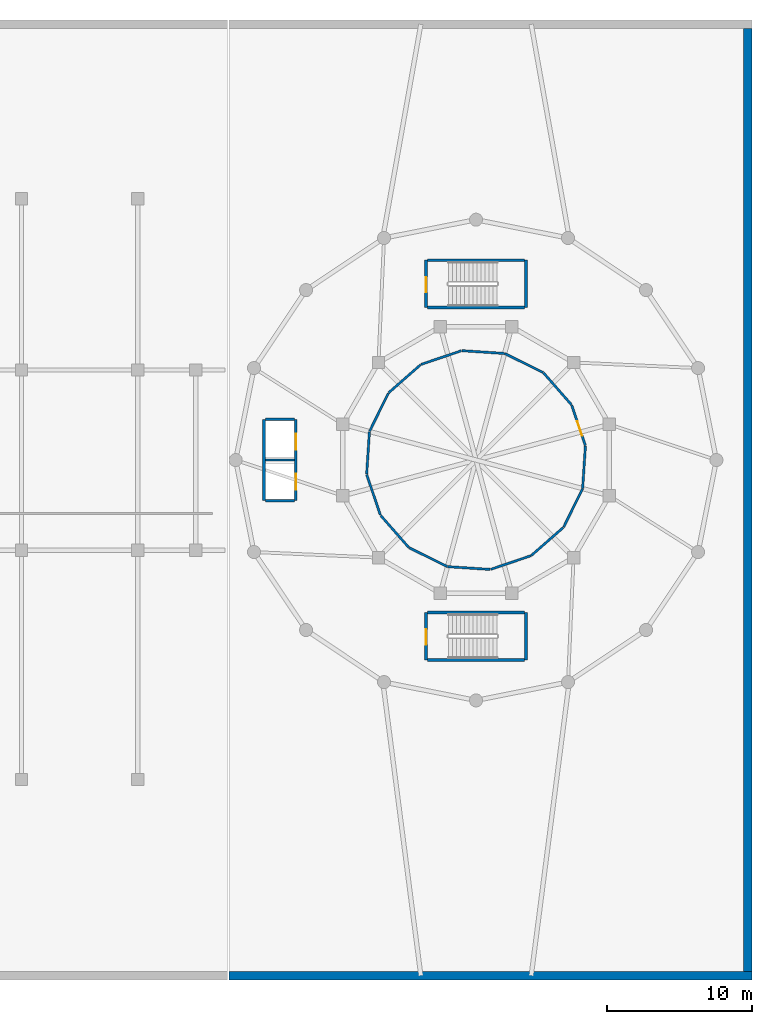
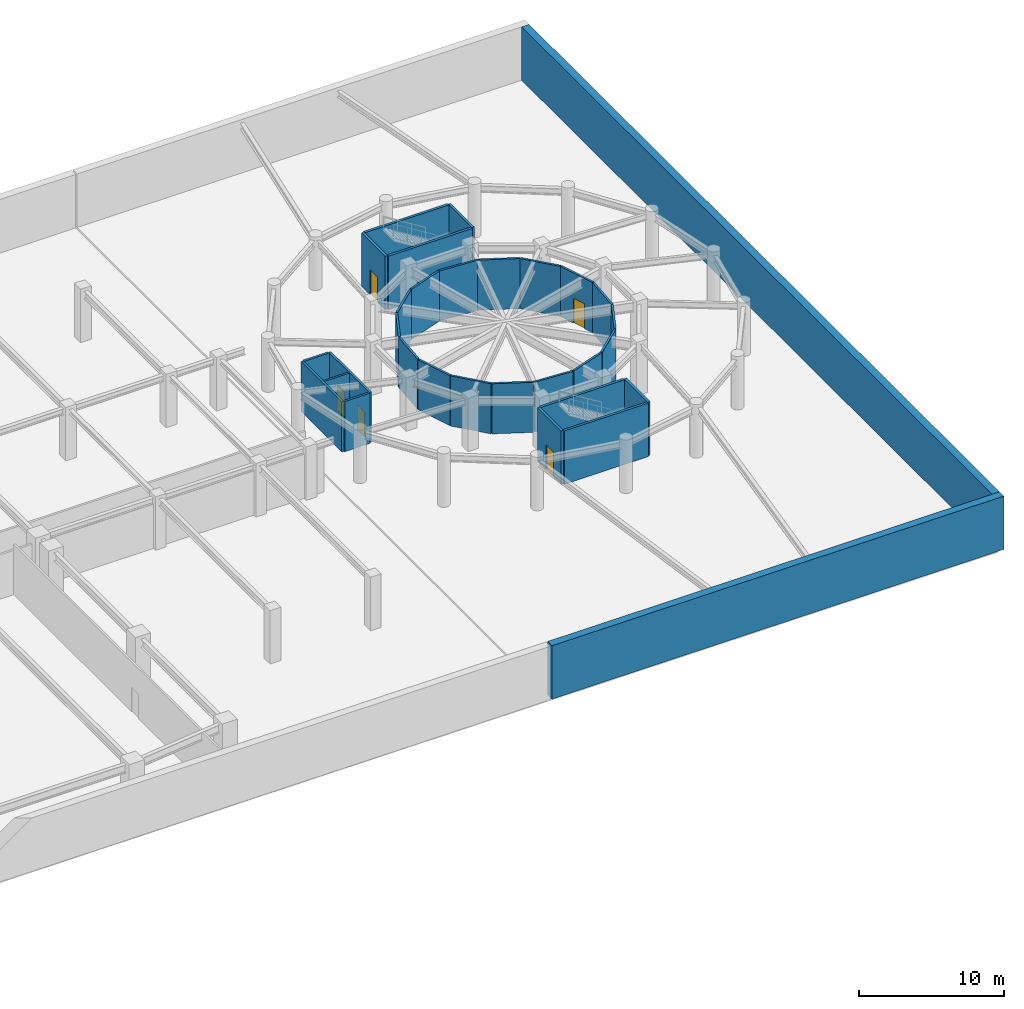
# One storey, part 11 of 15: 31 walls, 5 doors, 5 openings.
"""IFC4 building model written with IfcOpenShell, lengths in metres."""

from ifc_helpers import new_model, si_unit, derived_unit, direction, frame, frame_2d, origin, place, context, subcontext, project, spatial, rectangle, extrude, material, layer, layer_set, type_object, element, fill, save


model = new_model("IFC4")

# Units and contexts
model_context = context("Model", 3, precision=1e-05, world=origin(), true_north=direction((0.0, 1.0)))
body_context = subcontext(model_context, "Body", "Model", "MODEL_VIEW")
ifc_project = project(units=[si_unit("LENGTHUNIT", "METRE"), si_unit("AREAUNIT", "SQUARE_METRE"), si_unit("VOLUMEUNIT", "CUBIC_METRE"), si_unit("PLANEANGLEUNIT", "RADIAN"), si_unit("MASSUNIT", "GRAM", prefix="KILO"), derived_unit("THERMALTRANSMITTANCEUNIT", [(si_unit("POWERUNIT", "WATT"), 1), (si_unit("LENGTHUNIT", "METRE"), -2), (si_unit("THERMODYNAMICTEMPERATUREUNIT", "KELVIN"), -1)])], contexts=[model_context])

# Site, building, storey
site_placement = place(None, origin())
site = spatial("IfcSite", under=ifc_project, at=site_placement, CompositionType="ELEMENT")
building_placement = place(site_placement, origin())
building = spatial("IfcBuilding", under=site, at=building_placement, Name="Korsvarv Bourse and Concert Hall", CompositionType="ELEMENT")
storey_placement = place(building_placement, frame((0.0, 0.0, -4.5)))
storey = spatial("IfcBuildingStorey", under=building, at=storey_placement, Name="B01", CompositionType="ELEMENT", Elevation=-4.5)

# Wall, opening, door
ifc_material_1 = material(Name="Concrete C50/60", Category="concrete")
ifc_layer_1 = layer(ifc_material_1, 0.3798828125)
ifc_layer_set_1 = layer_set([ifc_layer_1], Name="Concrete C50/60")
wall_type_1 = type_object("IfcWallType", Name="WL-CORE-380", PredefinedType="SHEAR", material=ifc_layer_set_1)
wall_1_placement = place(storey_placement, frame((103.35009765625, 46.5, 0.0), z_axis=(0.0, 0.0, 1.0), x_axis=(0.0, 1.0, 0.0)))
wall_1 = element("IfcWall", 1, at=wall_1_placement, inside=storey, type_object=wall_type_1, Name="B01 stair shaft structural wall W-B01-STCH1-W", PredefinedType="SHEAR", context=body_context, shape_type="SweptSolid", body=[
    extrude(rectangle(XDim=3.260009765625, YDim=0.199951171875, at=frame_2d((1.6298828125, 0.0))), origin(), (0.0, 0.0, 1.0), 4.5),
])
opening_1_placement = place(wall_1_placement, frame((1.050048828125, 0.0, 0.0)))
opening_1 = element("IfcOpeningElement", 2, at=opening_1_placement, cuts=wall_1, Name="Opening D-01", PredefinedType="OPENING", context=body_context, shape_type="SweptSolid", body=[
    extrude(rectangle(XDim=1.050048828125, YDim=2.10009765625, at=frame_2d((0.52490234375, 1.050048828125))), frame((0.0, 0.10986328125, 0.0), z_axis=(0.0, -1.0, 0.0), x_axis=(1.0, 0.0, 0.0)), (0.0, 0.0, 1.0), 0.219970703125),
])
ifc_material_2 = material(Name="Steel S355 fire door", Category="steel")
door_type_1 = type_object("IfcDoorType", Name="DR-FD60", OperationType="NOTDEFINED", PredefinedType="DOOR", material=ifc_material_2)
door_1_placement = place(opening_1_placement, origin())
door_1 = element("IfcDoor", 3, at=door_1_placement, inside=storey, type_object=door_type_1, Name="B01 interior door DR-B01-STCH1", OperationType="SINGLE_SWING_RIGHT", OverallHeight=2.10009765625, OverallWidth=1.050048828125, PredefinedType="DOOR", context=body_context, shape_type="SweptSolid", body=[
    extrude(rectangle(XDim=1.050048828125, YDim=2.10009765625, at=frame_2d((0.52490234375, 1.050048828125))), frame((0.0, 0.02490234375, 0.0), z_axis=(0.0, -1.0, 0.0), x_axis=(1.0, 0.0, 0.0)), (0.0, 0.0, 1.0), 0.050048828125),
])
fill(opening_1, door_1)

# Walls
for number, where, z_axis, x_axis, name in (
    (4, (103.4599609375, 49.760009765625, 0.0), (0.0, 0.0, 1.0), (1.0, 0.0, 0.0), "B01 stair shaft structural wall W-B01-STCH1-N"),
    (5, (103.4599609375, 46.5, 0.0), (0.0, 0.0, 1.0), (1.0, 0.0, 0.0), "B01 stair shaft structural wall W-B01-STCH1-S"),
):
    element("IfcWall", number, at=place(storey_placement, frame(where, z_axis=z_axis, x_axis=x_axis)), inside=storey, type_object=wall_type_1, Name=name, PredefinedType="SHEAR", context=body_context, shape_type="SweptSolid", body=[
        extrude(rectangle(XDim=6.679931640625, YDim=0.199951171875, at=frame_2d((3.33984375, 0.0))), origin(), (0.0, 0.0, 1.0), 4.5),
    ])
wall_2_placement = place(storey_placement, frame((110.25, 46.5, 0.0), z_axis=(0.0, 0.0, 1.0), x_axis=(0.0, 1.0, 0.0)))
element("IfcWall", 6, at=wall_2_placement, inside=storey, type_object=wall_type_1, Name="B01 stair shaft structural wall W-B01-STCH1-E", PredefinedType="SHEAR", context=body_context, shape_type="SweptSolid", body=[
    extrude(rectangle(XDim=3.260009765625, YDim=0.199951171875, at=frame_2d((1.6298828125, 0.0))), origin(), (0.0, 0.0, 1.0), 4.5),
])

# Wall, opening, door
wall_3_placement = place(storey_placement, frame((103.35009765625, 22.239990234375, 0.0), z_axis=(0.0, 0.0, 1.0), x_axis=(0.0, 1.0, 0.0)))
wall_3 = element("IfcWall", 7, at=wall_3_placement, inside=storey, type_object=wall_type_1, Name="B01 stair shaft structural wall W-B01-STCH2-W", PredefinedType="SHEAR", context=body_context, shape_type="SweptSolid", body=[
    extrude(rectangle(XDim=3.260009765625, YDim=0.199951171875, at=frame_2d((1.6298828125, 0.0))), origin(), (0.0, 0.0, 1.0), 4.5),
])
opening_2_placement = place(wall_3_placement, frame((1.050048828125, 0.0, 0.0)))
opening_2 = element("IfcOpeningElement", 8, at=opening_2_placement, cuts=wall_3, Name="Opening D-01", PredefinedType="OPENING", context=body_context, shape_type="SweptSolid", body=[
    extrude(rectangle(XDim=1.050048828125, YDim=2.10009765625, at=frame_2d((0.52490234375, 1.050048828125))), frame((0.0, 0.10986328125, 0.0), z_axis=(0.0, -1.0, 0.0), x_axis=(1.0, 0.0, 0.0)), (0.0, 0.0, 1.0), 0.219970703125),
])
door_2_placement = place(opening_2_placement, origin())
door_2 = element("IfcDoor", 9, at=door_2_placement, inside=storey, type_object=door_type_1, Name="B01 interior door DR-B01-STCH2", OperationType="SINGLE_SWING_LEFT", OverallHeight=2.10009765625, OverallWidth=1.050048828125, PredefinedType="DOOR", context=body_context, shape_type="SweptSolid", body=[
    extrude(rectangle(XDim=1.050048828125, YDim=2.10009765625, at=frame_2d((0.52490234375, 1.050048828125))), frame((0.0, 0.02490234375, 0.0), z_axis=(0.0, -1.0, 0.0), x_axis=(1.0, 0.0, 0.0)), (0.0, 0.0, 1.0), 0.050048828125),
])
fill(opening_2, door_2)

# Walls
for number, where, z_axis, x_axis, name in (
    (10, (103.4599609375, 25.5, 0.0), (0.0, 0.0, 1.0), (1.0, 0.0, 0.0), "B01 stair shaft structural wall W-B01-STCH2-N"),
    (11, (103.4599609375, 22.239990234375, 0.0), (0.0, 0.0, 1.0), (1.0, 0.0, 0.0), "B01 stair shaft structural wall W-B01-STCH2-S"),
):
    element("IfcWall", number, at=place(storey_placement, frame(where, z_axis=z_axis, x_axis=x_axis)), inside=storey, type_object=wall_type_1, Name=name, PredefinedType="SHEAR", context=body_context, shape_type="SweptSolid", body=[
        extrude(rectangle(XDim=6.679931640625, YDim=0.199951171875, at=frame_2d((3.33984375, 0.0))), origin(), (0.0, 0.0, 1.0), 4.5),
    ])
wall_4_placement = place(storey_placement, frame((110.25, 22.239990234375, 0.0), z_axis=(0.0, 0.0, 1.0), x_axis=(0.0, 1.0, 0.0)))
element("IfcWall", 12, at=wall_4_placement, inside=storey, type_object=wall_type_1, Name="B01 stair shaft structural wall W-B01-STCH2-E", PredefinedType="SHEAR", context=body_context, shape_type="SweptSolid", body=[
    extrude(rectangle(XDim=3.260009765625, YDim=0.199951171875, at=frame_2d((1.6298828125, 0.0))), origin(), (0.0, 0.0, 1.0), 4.5),
])

# Wall, opening, door
ifc_material_3 = material(Name="Double-stud fire-rated acoustic partition", Category="gypsum")
ifc_layer_2 = layer(ifc_material_3, 0.159912109375)
ifc_layer_set_2 = layer_set([ifc_layer_2], Name="Double-stud fire-rated acoustic partition")
wall_type_2 = type_object("IfcWallType", Name="WL-INT-EI60", PredefinedType="PARTITIONING", material=ifc_layer_set_2)
wall_5_placement = place(storey_placement, frame((114.32666015625, 37.0087890625, 0.0), z_axis=(0.0, 0.0, 1.0), x_axis=(-0.321400480784, 0.946943362061, 0.0)))
wall_5 = element("IfcWall", 13, at=wall_5_placement, inside=storey, type_object=wall_type_2, Name="B01 interior partition wall W-B01-CHBW-01", PredefinedType="PARTITIONING", context=body_context, shape_type="SweptSolid", body=[
    extrude(rectangle(XDim=2.92822265625, YDim=0.159912109375, at=frame_2d((1.464111328125, 0.0))), origin(), (0.0, 0.0, 1.0), 4.219970703125),
])
opening_3_placement = place(wall_5_placement, frame((0.699951171875, 0.0, 0.0)))
opening_3 = element("IfcOpeningElement", 14, at=opening_3_placement, cuts=wall_5, Name="Opening D-01", PredefinedType="OPENING", context=body_context, shape_type="SweptSolid", body=[
    extrude(rectangle(XDim=1.050048828125, YDim=2.10009765625, at=frame_2d((0.52490234375, 1.050048828125))), frame((0.0, 0.08984375, 0.0), z_axis=(0.0, -1.0, 0.0), x_axis=(1.0, 0.0, 0.0)), (0.0, 0.0, 1.0), 0.179931640625),
])
door_3_placement = place(opening_3_placement, origin())
door_3 = element("IfcDoor", 15, at=door_3_placement, inside=storey, type_object=door_type_1, Name="B01 interior door DR-B01-CHBW", OperationType="SINGLE_SWING_RIGHT", OverallHeight=2.10009765625, OverallWidth=1.050048828125, PredefinedType="DOOR", context=body_context, shape_type="SweptSolid", body=[
    extrude(rectangle(XDim=1.050048828125, YDim=2.10009765625, at=frame_2d((0.52490234375, 1.050048828125))), frame((0.0, 0.02490234375, 0.0), z_axis=(0.0, -1.0, 0.0), x_axis=(1.0, 0.0, 0.0)), (0.0, 0.0, 1.0), 0.050048828125),
])
fill(opening_3, door_3)

# Walls
wall_6_placement = place(storey_placement, frame((113.36767578125, 39.812255859375, 0.0), z_axis=(0.0, 0.0, 1.0), x_axis=(-0.659318775276, 0.751863519908, 0.0)))
element("IfcWall", 16, at=wall_6_placement, inside=storey, type_object=wall_type_2, Name="B01 interior partition wall W-B01-CHBW-02", PredefinedType="PARTITIONING", context=body_context, shape_type="SweptSolid", body=[
    extrude(rectangle(XDim=2.92822265625, YDim=0.159912109375, at=frame_2d((1.464111328125, 0.0))), origin(), (0.0, 0.0, 1.0), 4.219970703125),
])
wall_7_placement = place(storey_placement, frame((111.408935546875, 42.035400390625, 0.0), z_axis=(0.0, 0.0, 1.0), x_axis=(-0.896881289853, 0.442271355519, 0.0)))
element("IfcWall", 17, at=wall_7_placement, inside=storey, type_object=wall_type_2, Name="B01 interior partition wall W-B01-CHBW-03", PredefinedType="PARTITIONING", context=body_context, shape_type="SweptSolid", body=[
    extrude(rectangle(XDim=2.928466796875, YDim=0.159912109375, at=frame_2d((1.46435546875, 0.0))), origin(), (0.0, 0.0, 1.0), 4.219970703125),
])
for number, where, z_axis, x_axis, name in (
    (18, (108.748291015625, 43.33984375, 0.0), (0.0, 0.0, 1.0), (-0.997861230687, 0.065367914844, 0.0), "B01 interior partition wall W-B01-CHBW-04"),
    (19, (105.791259765625, 43.526611328125, 0.0), (0.0, 0.0, 1.0), (-0.946943362061, -0.321400480784, 0.0), "B01 interior partition wall W-B01-CHBW-05"),
):
    element("IfcWall", number, at=place(storey_placement, frame(where, z_axis=z_axis, x_axis=x_axis)), inside=storey, type_object=wall_type_2, Name=name, PredefinedType="PARTITIONING", context=body_context, shape_type="SweptSolid", body=[
        extrude(rectangle(XDim=2.92822265625, YDim=0.159912109375, at=frame_2d((1.464111328125, 0.0))), origin(), (0.0, 0.0, 1.0), 4.219970703125),
    ])
wall_8_placement = place(storey_placement, frame((102.98779296875, 42.567626953125, 0.0), z_axis=(0.0, 0.0, 1.0), x_axis=(-0.751899759128, -0.659277447076, 0.0)))
element("IfcWall", 20, at=wall_8_placement, inside=storey, type_object=wall_type_2, Name="B01 interior partition wall W-B01-CHBW-06", PredefinedType="PARTITIONING", context=body_context, shape_type="SweptSolid", body=[
    extrude(rectangle(XDim=2.928466796875, YDim=0.159912109375, at=frame_2d((1.46435546875, 0.0))), origin(), (0.0, 0.0, 1.0), 4.219970703125),
])
wall_9_placement = place(storey_placement, frame((100.764404296875, 40.60888671875, 0.0), z_axis=(0.0, 0.0, 1.0), x_axis=(-0.442204290296, -0.896914358032, 0.0)))
element("IfcWall", 21, at=wall_9_placement, inside=storey, type_object=wall_type_2, Name="B01 interior partition wall W-B01-CHBW-07", PredefinedType="PARTITIONING", context=body_context, shape_type="SweptSolid", body=[
    extrude(rectangle(XDim=2.92822265625, YDim=0.159912109375, at=frame_2d((1.464111328125, 0.0))), origin(), (0.0, 0.0, 1.0), 4.219970703125),
])
for number, where, z_axis, x_axis, name in (
    (22, (99.460205078125, 37.948486328125, 0.0), (0.0, 0.0, 1.0), (-0.065362476743, -0.997861586912, 0.0), "B01 interior partition wall W-B01-CHBW-08"),
    (23, (99.273193359375, 34.9912109375, 0.0), (0.0, 0.0, 1.0), (0.321475237926, -0.946917985572, 0.0), "B01 interior partition wall W-B01-CHBW-09"),
):
    element("IfcWall", number, at=place(storey_placement, frame(where, z_axis=z_axis, x_axis=x_axis)), inside=storey, type_object=wall_type_2, Name=name, PredefinedType="PARTITIONING", context=body_context, shape_type="SweptSolid", body=[
        extrude(rectangle(XDim=2.928466796875, YDim=0.159912109375, at=frame_2d((1.46435546875, 0.0))), origin(), (0.0, 0.0, 1.0), 4.219970703125),
    ])
wall_10_placement = place(storey_placement, frame((100.232421875, 32.187744140625, 0.0), z_axis=(0.0, 0.0, 1.0), x_axis=(0.659318775276, -0.751863519908, 0.0)))
element("IfcWall", 24, at=wall_10_placement, inside=storey, type_object=wall_type_2, Name="B01 interior partition wall W-B01-CHBW-10", PredefinedType="PARTITIONING", context=body_context, shape_type="SweptSolid", body=[
    extrude(rectangle(XDim=2.92822265625, YDim=0.159912109375, at=frame_2d((1.464111328125, 0.0))), origin(), (0.0, 0.0, 1.0), 4.219970703125),
])
for number, where, z_axis, x_axis, name in (
    (25, (102.19091796875, 29.964599609375, 0.0), (0.0, 0.0, 1.0), (0.896881289853, -0.442271355519, 0.0), "B01 interior partition wall W-B01-CHBW-11"),
    (26, (104.8515625, 28.66015625, 0.0), (0.0, 0.0, 1.0), (0.997861586912, -0.065362476743, 0.0), "B01 interior partition wall W-B01-CHBW-12"),
    (27, (107.80859375, 28.473388671875, 0.0), (0.0, 0.0, 1.0), (0.946951973263, 0.321375108454, 0.0), "B01 interior partition wall W-B01-CHBW-13"),
):
    element("IfcWall", number, at=place(storey_placement, frame(where, z_axis=z_axis, x_axis=x_axis)), inside=storey, type_object=wall_type_2, Name=name, PredefinedType="PARTITIONING", context=body_context, shape_type="SweptSolid", body=[
        extrude(rectangle(XDim=2.928466796875, YDim=0.159912109375, at=frame_2d((1.46435546875, 0.0))), origin(), (0.0, 0.0, 1.0), 4.219970703125),
    ])
wall_11_placement = place(storey_placement, frame((110.6123046875, 29.432373046875, 0.0), z_axis=(0.0, 0.0, 1.0), x_axis=(0.751863519908, 0.659318775276, 0.0)))
element("IfcWall", 28, at=wall_11_placement, inside=storey, type_object=wall_type_2, Name="B01 interior partition wall W-B01-CHBW-14", PredefinedType="PARTITIONING", context=body_context, shape_type="SweptSolid", body=[
    extrude(rectangle(XDim=2.92822265625, YDim=0.159912109375, at=frame_2d((1.464111328125, 0.0))), origin(), (0.0, 0.0, 1.0), 4.219970703125),
])
for number, where, z_axis, x_axis, name in (
    (29, (112.83544921875, 31.39111328125, 0.0), (0.0, 0.0, 1.0), (0.442271355519, 0.896881289853, 0.0), "B01 interior partition wall W-B01-CHBW-15"),
    (30, (114.139892578125, 34.051513671875, 0.0), (0.0, 0.0, 1.0), (0.065362476743, 0.997861586912, 0.0), "B01 interior partition wall W-B01-CHBW-16"),
):
    element("IfcWall", number, at=place(storey_placement, frame(where, z_axis=z_axis, x_axis=x_axis)), inside=storey, type_object=wall_type_2, Name=name, PredefinedType="PARTITIONING", context=body_context, shape_type="SweptSolid", body=[
        extrude(rectangle(XDim=2.928466796875, YDim=0.159912109375, at=frame_2d((1.46435546875, 0.0))), origin(), (0.0, 0.0, 1.0), 4.219970703125),
    ])

# Wall, openings, doors
ifc_material_4 = material(Name="Gypsum-clad autoclaved concrete shaft wall C30/37", Category="concrete")
ifc_layer_3 = layer(ifc_material_4, 0.179931640625)
ifc_layer_set_3 = layer_set([ifc_layer_3], Name="Gypsum-clad autoclaved concrete shaft wall C30/37")
wall_type_3 = type_object("IfcWallType", Name="WL-INT-EI90", PredefinedType="PARTITIONING", material=ifc_layer_set_3)
wall_12_placement = place(storey_placement, frame((94.39990234375, 33.199951171875, 0.0), z_axis=(0.0, 0.0, 1.0), x_axis=(0.0, 1.0, 0.0)))
wall_12 = element("IfcWall", 31, at=wall_12_placement, inside=storey, type_object=wall_type_3, Name="B01 interior partition wall W-B01-CHLF-E", PredefinedType="PARTITIONING", context=body_context, shape_type="SweptSolid", body=[
    extrude(rectangle(XDim=5.60009765625, YDim=0.179931640625, at=frame_2d((2.800048828125, 0.0))), origin(), (0.0, 0.0, 1.0), 4.219970703125),
])
opening_4_placement = place(wall_12_placement, frame((3.5, 0.0, 0.0)))
opening_4 = element("IfcOpeningElement", 32, at=opening_4_placement, cuts=wall_12, Name="Opening LD-2", PredefinedType="OPENING", context=body_context, shape_type="SweptSolid", body=[
    extrude(rectangle(XDim=1.10009765625, YDim=2.10009765625, at=frame_2d((0.550048828125, 1.050048828125))), frame((0.0, 0.10009765625, 0.0), z_axis=(0.0, -1.0, 0.0), x_axis=(1.0, 0.0, 0.0)), (0.0, 0.0, 1.0), 0.199951171875),
])
opening_5_placement = place(wall_12_placement, frame((0.75, 0.0, 0.0)))
opening_5 = element("IfcOpeningElement", 33, at=opening_5_placement, cuts=wall_12, Name="Opening LD-2", PredefinedType="OPENING", context=body_context, shape_type="SweptSolid", body=[
    extrude(rectangle(XDim=1.10009765625, YDim=2.10009765625, at=frame_2d((0.550048828125, 1.050048828125))), frame((0.0, 0.10009765625, 0.0), z_axis=(0.0, -1.0, 0.0), x_axis=(1.0, 0.0, 0.0)), (0.0, 0.0, 1.0), 0.199951171875),
])
ifc_material_5 = material(Name="Brushed stainless Steel S355 lift landing door", Category="steel")
door_type_2 = type_object("IfcDoorType", Name="DR-LIFT-P", OperationType="DOUBLE_DOOR_SLIDING", PredefinedType="DOOR", material=ifc_material_5)
door_4_placement = place(opening_4_placement, origin())
door_4 = element("IfcDoor", 34, at=door_4_placement, inside=storey, type_object=door_type_2, Name="B01 lift sliding landing door LD-B01-CHL1", OperationType="DOUBLE_DOOR_SLIDING", OverallHeight=2.10009765625, OverallWidth=1.10009765625, PredefinedType="DOOR", context=body_context, shape_type="SweptSolid", body=[
    extrude(rectangle(XDim=1.10009765625, YDim=2.10009765625, at=frame_2d((0.550048828125, 1.050048828125))), frame((0.0, 0.02490234375, 0.0), z_axis=(0.0, -1.0, 0.0), x_axis=(1.0, 0.0, 0.0)), (0.0, 0.0, 1.0), 0.050048828125),
])
fill(opening_4, door_4)
door_5_placement = place(opening_5_placement, origin())
door_5 = element("IfcDoor", 35, at=door_5_placement, inside=storey, type_object=door_type_2, Name="B01 lift sliding landing door LD-B01-CHL2", OperationType="DOUBLE_DOOR_SLIDING", OverallHeight=2.10009765625, OverallWidth=1.10009765625, PredefinedType="DOOR", context=body_context, shape_type="SweptSolid", body=[
    extrude(rectangle(XDim=1.10009765625, YDim=2.10009765625, at=frame_2d((0.550048828125, 1.050048828125))), frame((0.0, 0.02490234375, 0.0), z_axis=(0.0, -1.0, 0.0), x_axis=(1.0, 0.0, 0.0)), (0.0, 0.0, 1.0), 0.050048828125),
])
fill(opening_5, door_5)

# Walls
wall_13_placement = place(storey_placement, frame((92.199951171875, 33.199951171875, 0.0), z_axis=(0.0, 0.0, 1.0), x_axis=(0.0, 1.0, 0.0)))
element("IfcWall", 36, at=wall_13_placement, inside=storey, type_object=wall_type_3, Name="B01 interior partition wall W-B01-CHLF-W", PredefinedType="PARTITIONING", context=body_context, shape_type="SweptSolid", body=[
    extrude(rectangle(XDim=5.60009765625, YDim=0.179931640625, at=frame_2d((2.800048828125, 0.0))), origin(), (0.0, 0.0, 1.0), 4.219970703125),
])
for number, where, z_axis, x_axis, name in (
    (37, (92.300048828125, 38.800048828125, 0.0), (0.0, 0.0, 1.0), (1.0, 0.0, 0.0), "B01 interior partition wall W-B01-CHLF-N"),
    (38, (92.300048828125, 33.199951171875, 0.0), (0.0, 0.0, 1.0), (1.0, 0.0, 0.0), "B01 interior partition wall W-B01-CHLF-S"),
):
    element("IfcWall", number, at=place(storey_placement, frame(where, z_axis=z_axis, x_axis=x_axis)), inside=storey, type_object=wall_type_3, Name=name, PredefinedType="PARTITIONING", context=body_context, shape_type="SweptSolid", body=[
        extrude(rectangle(XDim=2.0, YDim=0.179931640625, at=frame_2d((1.0, 0.0))), origin(), (0.0, 0.0, 1.0), 4.219970703125),
    ])
wall_14_placement = place(storey_placement, frame((92.300048828125, 36.0, 0.0), z_axis=(0.0, 0.0, 1.0), x_axis=(1.0, 0.0, 0.0)))
element("IfcWall", 39, at=wall_14_placement, inside=storey, type_object=wall_type_3, Name="B01 interior partition wall W-B01-CHLF-M", PredefinedType="PARTITIONING", context=body_context, shape_type="SweptSolid", body=[
    extrude(rectangle(XDim=2.0, YDim=0.159912109375, at=frame_2d((1.0, 0.0))), origin(), (0.0, 0.0, 1.0), 4.219970703125),
])
ifc_layer_4 = layer(ifc_material_1, 0.60009765625)
ifc_layer_set_4 = layer_set([ifc_layer_4], Name="Concrete C50/60")
wall_type_4 = type_object("IfcWallType", Name="WL-RET-600", PredefinedType="SOLIDWALL", material=ifc_layer_set_4)
wall_15_placement = place(storey_placement, frame((89.800048828125, 0.5, 0.0), z_axis=(0.0, 0.0, 1.0), x_axis=(1.0, 0.0, 0.0)))
element("IfcWall", 40, at=wall_15_placement, inside=storey, type_object=wall_type_4, Name="B01 Concert-Block South Basement Retaining Wall", PredefinedType="SOLIDWALL", context=body_context, shape_type="SweptSolid", body=[
    extrude(rectangle(XDim=36.0, YDim=0.60009765625, at=frame_2d((18.0, 0.0))), origin(), (0.0, 0.0, 1.0), 4.5),
])
wall_16_placement = place(storey_placement, frame((125.5, 0.800048828125, 0.0), z_axis=(0.0, 0.0, 1.0), x_axis=(0.0, 1.0, 0.0)))
element("IfcWall", 41, at=wall_16_placement, inside=storey, type_object=wall_type_4, Name="B01 East Basement Retaining Wall", PredefinedType="SOLIDWALL", context=body_context, shape_type="SweptSolid", body=[
    extrude(rectangle(XDim=64.89990234375, YDim=0.60009765625, at=frame_2d((32.449951171875, 0.0))), origin(), (0.0, 0.0, 1.0), 4.5),
])

save(model, "model.ifc")
